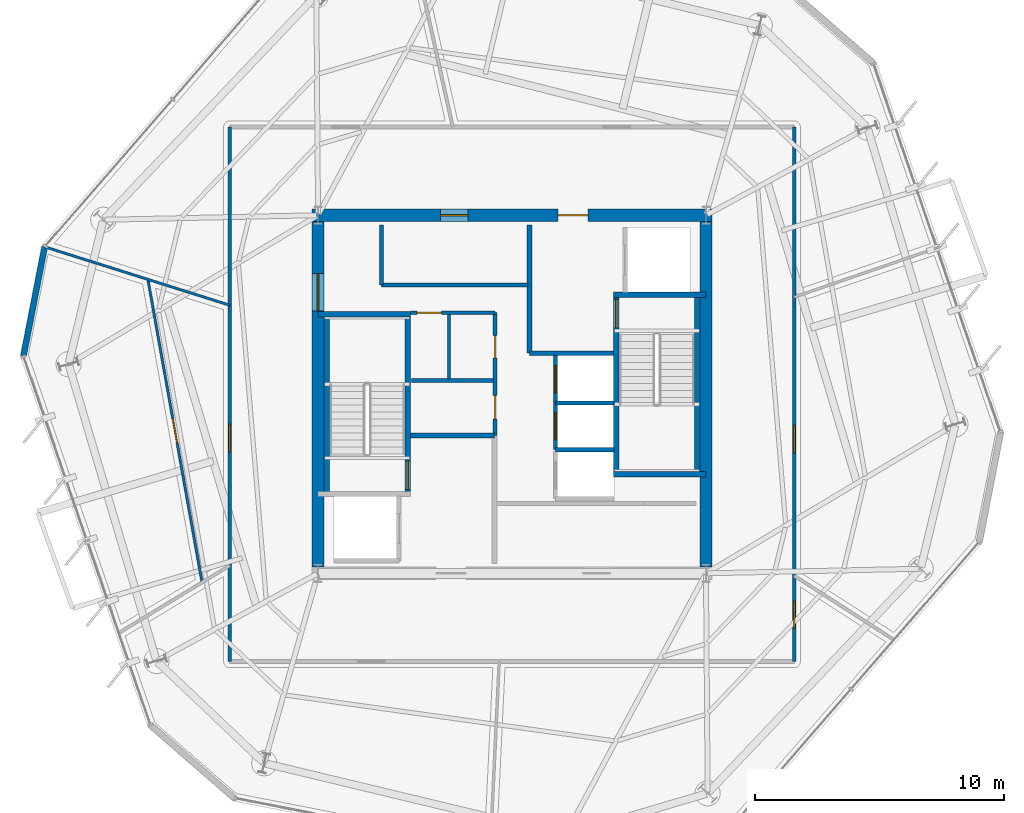
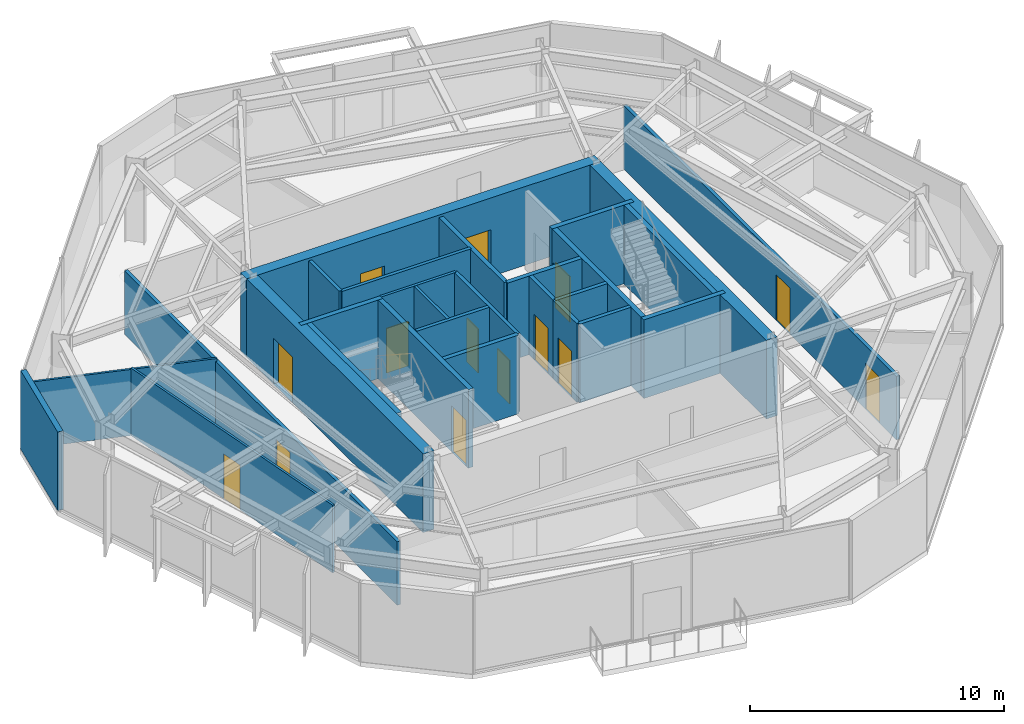
# One storey, part 7 of 11: 28 walls, 14 doors, 14 openings.
"""IFC4 building model written with IfcOpenShell, lengths in metres."""

from ifc_helpers import new_model, si_unit, direction, frame, frame_2d, origin, place, context, subcontext, project, spatial, rectangle, extrude, material, layer, layer_set, type_object, element, fill, save


model = new_model("IFC4")

# Units and contexts
model_context = context("Model", 3, precision=1e-05, world=origin(), true_north=direction((0.0, 1.0)))
body_context = subcontext(model_context, "Body", "Model", "MODEL_VIEW")
ifc_project = project(units=[si_unit("LENGTHUNIT", "METRE"), si_unit("AREAUNIT", "SQUARE_METRE"), si_unit("VOLUMEUNIT", "CUBIC_METRE"), si_unit("PLANEANGLEUNIT", "RADIAN"), si_unit("MASSUNIT", "GRAM", prefix="KILO")], contexts=[model_context])

# Site, building, storey
site_placement = place(None, origin())
site = spatial("IfcSite", under=ifc_project, at=site_placement, CompositionType="ELEMENT")
building_placement = place(site_placement, origin())
building = spatial("IfcBuilding", under=site, at=building_placement, Name="Kranzbogen Civic Tower", CompositionType="ELEMENT")
storey_placement = place(building_placement, frame((0.0, 0.0, 220.800048828125)))
storey = spatial("IfcBuildingStorey", under=building, at=storey_placement, Name="L53", CompositionType="ELEMENT", Elevation=220.800048828125)

# Walls
ifc_material_1 = material(Name="Double-Stud Acoustic Gypsum Partition")
ifc_layer_1 = layer(ifc_material_1, 0.14990234375, Name="Double-Stud Acoustic Gypsum Partition")
ifc_layer_set_1 = layer_set([ifc_layer_1], Name="Double-Stud Acoustic Gypsum Partition")
wall_type_1 = type_object("IfcWallType", Name="Acoustic Corridor and Clinical Partition 150 mm", PredefinedType="PARTITIONING", material=ifc_layer_set_1)
wall_1_placement = place(storey_placement, frame((19.75, 29.389892578125, 0.0), z_axis=(0.0, 0.0, 1.0), x_axis=(1.0, 0.0, 0.0)))
element("IfcWall", 1, at=wall_1_placement, inside=storey, type_object=wall_type_1, Name="L53 digital comms South wall", PredefinedType="PARTITIONING", context=body_context, shape_type="SweptSolid", body=[
    extrude(rectangle(XDim=5.89990234375, YDim=0.14990234375, at=frame_2d((2.949951171875, 0.0))), origin(), (0.0, 0.0, 1.0), 3.780029296875),
])
wall_2_placement = place(storey_placement, frame((19.75, 29.389892578125, 0.0), z_axis=(0.0, 0.0, 1.0), x_axis=(0.0, 1.0, 0.0)))
element("IfcWall", 2, at=wall_2_placement, inside=storey, type_object=wall_type_1, Name="L53 digital comms West wall", PredefinedType="PARTITIONING", context=body_context, shape_type="SweptSolid", body=[
    extrude(rectangle(XDim=2.41015625, YDim=0.14990234375, at=frame_2d((1.205078125, 0.0))), origin(), (0.0, 0.0, 1.0), 3.780029296875),
])

# Wall, openings, doors
wall_3_placement = place(storey_placement, frame((36.35009765625, 35.75, 0.0), z_axis=(0.0, 0.0, 1.0), x_axis=(0.0, -1.0, 0.0)))
wall_3 = element("IfcWall", 3, at=wall_3_placement, inside=storey, type_object=wall_type_1, Name="L53 corridor partition 02", PredefinedType="PARTITIONING", context=body_context, shape_type="SweptSolid", body=[
    extrude(rectangle(XDim=21.5, YDim=0.14990234375, at=frame_2d((10.75, 0.0))), origin(), (0.0, 0.0, 1.0), 3.050048828125),
])
opening_1_placement = place(wall_3_placement, frame((19.068115234375, 0.0, 0.0)))
opening_1 = element("IfcOpeningElement", 4, at=opening_1_placement, cuts=wall_3, Name="Opening D-COR60", PredefinedType="OPENING", context=body_context, shape_type="SweptSolid", body=[
    extrude(rectangle(XDim=1.10009765625, YDim=2.199951171875, at=frame_2d((0.550048828125, 1.10009765625))), frame((0.0, 0.0849609375, 0.0), z_axis=(0.0, -1.0, 0.0), x_axis=(1.0, 0.0, 0.0)), (0.0, 0.0, 1.0), 0.169921875),
])
opening_2_placement = place(wall_3_placement, frame((11.9990234375, 0.0, 0.0)))
opening_2 = element("IfcOpeningElement", 5, at=opening_2_placement, cuts=wall_3, Name="Opening D-COR60", PredefinedType="OPENING", context=body_context, shape_type="SweptSolid", body=[
    extrude(rectangle(XDim=1.10009765625, YDim=2.199951171875, at=frame_2d((0.550048828125, 1.10009765625))), frame((0.0, 0.0849609375, 0.0), z_axis=(0.0, -1.0, 0.0), x_axis=(1.0, 0.0, 0.0)), (0.0, 0.0, 1.0), 0.169921875),
])
ifc_material_2 = material(Name="Oak Timber and Fire Core", Category="wood")
door_type_1 = type_object("IfcDoorType", Name="Corridor Acoustic Fire Door 1100x2200", OperationType="NOTDEFINED", PredefinedType="DOOR", material=ifc_material_2)
door_1_placement = place(opening_1_placement, origin())
door_1 = element("IfcDoor", 6, at=door_1_placement, inside=storey, type_object=door_type_1, Name="L53 Public Delegation Reception door", OperationType="SINGLE_SWING_LEFT", OverallHeight=2.199951171875, OverallWidth=1.10009765625, PredefinedType="DOOR", context=body_context, shape_type="SweptSolid", body=[
    extrude(rectangle(XDim=1.10009765625, YDim=2.199951171875, at=frame_2d((0.550048828125, 1.10009765625))), frame((0.0, 0.02490234375, 0.0), z_axis=(0.0, -1.0, 0.0), x_axis=(1.0, 0.0, 0.0)), (0.0, 0.0, 1.0), 0.050048828125),
])
fill(opening_1, door_1)
door_2_placement = place(opening_2_placement, origin())
door_2 = element("IfcDoor", 7, at=door_2_placement, inside=storey, type_object=door_type_1, Name="L53 Visitor Concierge Foyer door", OperationType="SINGLE_SWING_RIGHT", OverallHeight=2.199951171875, OverallWidth=1.10009765625, PredefinedType="DOOR", context=body_context, shape_type="SweptSolid", body=[
    extrude(rectangle(XDim=1.10009765625, YDim=2.199951171875, at=frame_2d((0.550048828125, 1.10009765625))), frame((0.0, 0.02490234375, 0.0), z_axis=(0.0, -1.0, 0.0), x_axis=(1.0, 0.0, 0.0)), (0.0, 0.0, 1.0), 0.050048828125),
])
fill(opening_2, door_2)

# Wall, opening, door
wall_4_placement = place(storey_placement, frame((13.64990234375, 14.25, 0.0), z_axis=(0.0, 0.0, 1.0), x_axis=(0.0, 1.0, 0.0)))
wall_4 = element("IfcWall", 8, at=wall_4_placement, inside=storey, type_object=wall_type_1, Name="L53 corridor partition 04", PredefinedType="PARTITIONING", context=body_context, shape_type="SweptSolid", body=[
    extrude(rectangle(XDim=21.5, YDim=0.14990234375, at=frame_2d((10.75, 0.0))), origin(), (0.0, 0.0, 1.0), 3.050048828125),
])
opening_3_placement = place(wall_4_placement, frame((8.443115234375, 0.0, 0.0)))
opening_3 = element("IfcOpeningElement", 9, at=opening_3_placement, cuts=wall_4, Name="Opening D-COR60", PredefinedType="OPENING", context=body_context, shape_type="SweptSolid", body=[
    extrude(rectangle(XDim=1.10009765625, YDim=2.199951171875, at=frame_2d((0.550048828125, 1.10009765625))), frame((0.0, 0.0849609375, 0.0), z_axis=(0.0, -1.0, 0.0), x_axis=(1.0, 0.0, 0.0)), (0.0, 0.0, 1.0), 0.169921875),
])
door_3_placement = place(opening_3_placement, origin())
door_3 = element("IfcDoor", 10, at=door_3_placement, inside=storey, type_object=door_type_1, Name="L53 Delegates Sitting Lounge door", OperationType="SINGLE_SWING_RIGHT", OverallHeight=2.199951171875, OverallWidth=1.10009765625, PredefinedType="DOOR", context=body_context, shape_type="SweptSolid", body=[
    extrude(rectangle(XDim=1.10009765625, YDim=2.199951171875, at=frame_2d((0.550048828125, 1.10009765625))), frame((0.0, 0.02490234375, 0.0), z_axis=(0.0, -1.0, 0.0), x_axis=(1.0, 0.0, 0.0)), (0.0, 0.0, 1.0), 0.050048828125),
])
fill(opening_3, door_3)

ifc_material_3 = material(Name="Insulated Metal-Stud Gypsum Partition")
ifc_layer_2 = layer(ifc_material_3, 0.125, Name="Insulated Metal-Stud Gypsum Partition")
ifc_layer_set_2 = layer_set([ifc_layer_2], Name="Insulated Metal-Stud Gypsum Partition")
wall_type_2 = type_object("IfcWallType", Name="Acoustic Inter-Room Partition 125 mm", PredefinedType="PARTITIONING", material=ifc_layer_set_2)
wall_5_placement = place(storey_placement, frame((20.919921875, 28.280029296875, 0.0), z_axis=(0.0, 0.0, 1.0), x_axis=(1.0, 0.0, 0.0)))
wall_5 = element("IfcWall", 11, at=wall_5_placement, inside=storey, type_object=wall_type_2, Name="L53 core auxiliary North wall", PredefinedType="PARTITIONING", context=body_context, shape_type="SweptSolid", body=[
    extrude(rectangle(XDim=3.405029296875, YDim=0.125, at=frame_2d((1.70263671875, 0.0))), origin(), (0.0, 0.0, 1.0), 3.780029296875),
])
opening_4_placement = place(wall_5_placement, frame((0.2548828125, 0.0, 0.0)))
opening_4 = element("IfcOpeningElement", 12, at=opening_4_placement, cuts=wall_5, Name="Opening D-RSR10", PredefinedType="OPENING", context=body_context, shape_type="SweptSolid", body=[
    extrude(rectangle(XDim=1.0, YDim=2.14990234375, at=frame_2d((0.5, 1.074951171875))), frame((0.0, 0.072509765625, 0.0), z_axis=(0.0, -1.0, 0.0), x_axis=(1.0, 0.0, 0.0)), (0.0, 0.0, 1.0), 0.14501953125),
])
door_type_2 = type_object("IfcDoorType", Name="Core Archive and Riser Fire Door 1000x2150", OperationType="NOTDEFINED", PredefinedType="DOOR", material=ifc_material_2)
door_4_placement = place(opening_4_placement, origin())
door_4 = element("IfcDoor", 13, at=door_4_placement, inside=storey, type_object=door_type_2, Name="L53 Telecom and Riser Room door", OperationType="SINGLE_SWING_RIGHT", OverallHeight=2.14990234375, OverallWidth=1.0, PredefinedType="DOOR", context=body_context, shape_type="SweptSolid", body=[
    extrude(rectangle(XDim=1.0, YDim=2.14990234375, at=frame_2d((0.5, 1.074951171875))), frame((0.0, 0.02490234375, 0.0), z_axis=(0.0, -1.0, 0.0), x_axis=(1.0, 0.0, 0.0)), (0.0, 0.0, 1.0), 0.050048828125),
])
fill(opening_4, door_4)

# Wall
wall_6_placement = place(storey_placement, frame((22.4599609375, 25.6201171875, 0.0), z_axis=(0.0, 0.0, 1.0), x_axis=(0.0, 1.0, 0.0)))
element("IfcWall", 14, at=wall_6_placement, inside=storey, type_object=wall_type_2, Name="L53 core auxiliary partition 2", PredefinedType="PARTITIONING", context=body_context, shape_type="SweptSolid", body=[
    extrude(rectangle(XDim=2.579833984375, YDim=0.125, at=frame_2d((1.2900390625, 0.0))), origin(), (0.0, 0.0, 1.0), 3.780029296875),
])

# Wall, openings, doors
ifc_material_4 = material(Name="Concrete C45/55", Category="concrete")
ifc_layer_3 = layer(ifc_material_4, 0.5, Name="Concrete C45/55")
ifc_layer_set_3 = layer_set([ifc_layer_3], Name="Concrete C45/55")
wall_type_3 = type_object("IfcWallType", Name="Central Core Shear Wall 500 mm", PredefinedType="SHEAR", material=ifc_layer_set_3)
wall_7_placement = place(storey_placement, frame((33.050048828125, 32.199951171875, 0.0), z_axis=(0.0, 0.0, 1.0), x_axis=(-1.0, 0.0, 0.0)))
wall_7 = element("IfcWall", 15, at=wall_7_placement, inside=storey, type_object=wall_type_3, Name="L53 central core North shear wall", PredefinedType="SHEAR", context=body_context, shape_type="SweptSolid", body=[
    extrude(rectangle(XDim=16.10009765625, YDim=0.5, at=frame_2d((8.050048828125, 0.0))), origin(), (0.0, 0.0, 1.0), 3.780029296875),
])
opening_5_placement = place(wall_7_placement, frame((5.0, 0.0, 0.0)))
opening_5 = element("IfcOpeningElement", 16, at=opening_5_placement, cuts=wall_7, Name="Opening D-EX120", PredefinedType="OPENING", context=body_context, shape_type="SweptSolid", body=[
    extrude(rectangle(XDim=1.199951171875, YDim=2.25, at=frame_2d((0.60009765625, 1.125))), frame((0.0, 0.260009765625, 0.0), z_axis=(0.0, -1.0, 0.0), x_axis=(1.0, 0.0, 0.0)), (0.0, 0.0, 1.0), 0.52001953125),
])
opening_6_placement = place(wall_7_placement, frame((9.824951171875, 0.0, 0.0)))
opening_6 = element("IfcOpeningElement", 17, at=opening_6_placement, cuts=wall_7, Name="Opening D-COR60", PredefinedType="OPENING", context=body_context, shape_type="SweptSolid", body=[
    extrude(rectangle(XDim=1.10009765625, YDim=2.199951171875, at=frame_2d((0.550048828125, 1.10009765625))), frame((0.0, 0.260009765625, 0.0), z_axis=(0.0, -1.0, 0.0), x_axis=(1.0, 0.0, 0.0)), (0.0, 0.0, 1.0), 0.52001953125),
])
door_5_placement = place(opening_6_placement, origin())
door_5 = element("IfcDoor", 18, at=door_5_placement, inside=storey, type_object=door_type_1, Name="L53 DAT1 comms room door", OperationType="SINGLE_SWING_LEFT", OverallHeight=2.199951171875, OverallWidth=1.10009765625, PredefinedType="DOOR", context=body_context, shape_type="SweptSolid", body=[
    extrude(rectangle(XDim=1.10009765625, YDim=2.199951171875, at=frame_2d((0.550048828125, 1.10009765625))), frame((0.0, 0.02490234375, 0.0), z_axis=(0.0, -1.0, 0.0), x_axis=(1.0, 0.0, 0.0)), (0.0, 0.0, 1.0), 0.050048828125),
])
fill(opening_6, door_5)
ifc_material_5 = material(Name="Steel S355", Category="steel")
door_type_3 = type_object("IfcDoorType", Name="Exit Passageway Fire Door 1200x2250", OperationType="NOTDEFINED", PredefinedType="DOOR", material=ifc_material_5)
door_6_placement = place(opening_5_placement, origin())
door_6 = element("IfcDoor", 19, at=door_6_placement, inside=storey, type_object=door_type_3, Name="L53 East firefighting lobby corridor door", OperationType="SINGLE_SWING_RIGHT", OverallHeight=2.25, OverallWidth=1.199951171875, PredefinedType="DOOR", context=body_context, shape_type="SweptSolid", body=[
    extrude(rectangle(XDim=1.199951171875, YDim=2.25, at=frame_2d((0.60009765625, 1.125))), frame((0.0, 0.02490234375, 0.0), z_axis=(0.0, -1.0, 0.0), x_axis=(1.0, 0.0, 0.0)), (0.0, 0.0, 1.0), 0.050048828125),
])
fill(opening_5, door_6)

# Wall, opening, door
wall_8_placement = place(storey_placement, frame((17.199951171875, 31.949951171875, 0.0), z_axis=(0.0, 0.0, 1.0), x_axis=(0.0, -1.0, 0.0)))
wall_8 = element("IfcWall", 20, at=wall_8_placement, inside=storey, type_object=wall_type_3, Name="L53 central core West shear wall", PredefinedType="SHEAR", context=body_context, shape_type="SweptSolid", body=[
    extrude(rectangle(XDim=13.89990234375, YDim=0.5, at=frame_2d((6.949951171875, 0.0))), origin(), (0.0, 0.0, 1.0), 3.780029296875),
])
opening_7_placement = place(wall_8_placement, frame((2.10009765625, 0.0, 0.0)))
opening_7 = element("IfcOpeningElement", 21, at=opening_7_placement, cuts=wall_8, Name="Opening D-DBL15", PredefinedType="OPENING", context=body_context, shape_type="SweptSolid", body=[
    extrude(rectangle(XDim=1.5, YDim=2.199951171875, at=frame_2d((0.75, 1.10009765625))), frame((0.0, 0.260009765625, 0.0), z_axis=(0.0, -1.0, 0.0), x_axis=(1.0, 0.0, 0.0)), (0.0, 0.0, 1.0), 0.52001953125),
])
ifc_material_6 = material(Name="Anodised Bronze and Glass", Category="glass")
door_type_4 = type_object("IfcDoorType", Name="Civic Lobby Double Door 1500x2200", OperationType="DOUBLE_DOOR_SINGLE_SWING", PredefinedType="DOOR", material=ifc_material_6)
door_7_placement = place(opening_7_placement, origin())
door_7 = element("IfcDoor", 22, at=door_7_placement, inside=storey, type_object=door_type_4, Name="L53 Central Lift Lobby West concourse door", OperationType="DOUBLE_DOOR_SINGLE_SWING", OverallHeight=2.199951171875, OverallWidth=1.5, PredefinedType="DOOR", context=body_context, shape_type="SweptSolid", body=[
    extrude(rectangle(XDim=1.5, YDim=2.199951171875, at=frame_2d((0.75, 1.10009765625))), frame((0.0, 0.02490234375, 0.0), z_axis=(0.0, -1.0, 0.0), x_axis=(1.0, 0.0, 0.0)), (0.0, 0.0, 1.0), 0.050048828125),
])
fill(opening_7, door_7)

# Wall
wall_9_placement = place(storey_placement, frame((32.800048828125, 18.050048828125, 0.0), z_axis=(0.0, 0.0, 1.0), x_axis=(0.0, 1.0, 0.0)))
element("IfcWall", 23, at=wall_9_placement, inside=storey, type_object=wall_type_3, Name="L53 central core East shear wall", PredefinedType="SHEAR", context=body_context, shape_type="SweptSolid", body=[
    extrude(rectangle(XDim=13.89990234375, YDim=0.5, at=frame_2d((6.949951171875, 0.0))), origin(), (0.0, 0.0, 1.0), 3.780029296875),
])

# Wall, opening, door
ifc_layer_4 = layer(ifc_material_4, 0.219970703125, Name="Concrete C45/55")
ifc_layer_set_4 = layer_set([ifc_layer_4], Name="Concrete C45/55")
wall_type_4 = type_object("IfcWallType", Name="Core Internal Stair Structural Wall 220 mm", PredefinedType="SOLIDWALL", material=ifc_layer_set_4)
wall_10_placement = place(storey_placement, frame((20.81005859375, 20.989990234375, 0.0), z_axis=(0.0, 0.0, 1.0), x_axis=(0.0, 1.0, 0.0)))
wall_10 = element("IfcWall", 24, at=wall_10_placement, inside=storey, type_object=wall_type_4, Name="L53 ST-T1 East structural stair wall", PredefinedType="SOLIDWALL", context=body_context, shape_type="SweptSolid", body=[
    extrude(rectangle(XDim=7.219970703125, YDim=0.219970703125, at=frame_2d((3.60986328125, 0.0))), origin(), (0.0, 0.0, 1.0), 3.780029296875),
])
opening_8_placement = place(wall_10_placement, frame((0.179931640625, 0.0, 0.0)))
opening_8 = element("IfcOpeningElement", 25, at=opening_8_placement, cuts=wall_10, Name="Opening D-ST90", PredefinedType="OPENING", context=body_context, shape_type="SweptSolid", body=[
    extrude(rectangle(XDim=1.14990234375, YDim=2.199951171875, at=frame_2d((0.574951171875, 1.10009765625))), frame((0.0, 0.1201171875, 0.0), z_axis=(0.0, -1.0, 0.0), x_axis=(1.0, 0.0, 0.0)), (0.0, 0.0, 1.0), 0.239990234375),
])
door_type_5 = type_object("IfcDoorType", Name="Pressurized Stair and Lobby Fire Door 1150x2200", OperationType="NOTDEFINED", PredefinedType="DOOR", material=ifc_material_5)
door_8_placement = place(opening_8_placement, origin())
door_8 = element("IfcDoor", 26, at=door_8_placement, inside=storey, type_object=door_type_5, Name="L53 Stair ST-T1 fire door", OperationType="SINGLE_SWING_LEFT", OverallHeight=2.199951171875, OverallWidth=1.14990234375, PredefinedType="DOOR", context=body_context, shape_type="SweptSolid", body=[
    extrude(rectangle(XDim=1.14990234375, YDim=2.199951171875, at=frame_2d((0.574951171875, 1.10009765625))), frame((0.0, 0.02490234375, 0.0), z_axis=(0.0, -1.0, 0.0), x_axis=(1.0, 0.0, 0.0)), (0.0, 0.0, 1.0), 0.050048828125),
])
fill(opening_8, door_8)

# Walls
wall_11_placement = place(storey_placement, frame((17.199951171875, 28.2099609375, 0.0), z_axis=(0.0, 0.0, 1.0), x_axis=(1.0, 0.0, 0.0)))
element("IfcWall", 27, at=wall_11_placement, inside=storey, type_object=wall_type_4, Name="L53 ST-T1 North structural stair wall", PredefinedType="SOLIDWALL", context=body_context, shape_type="SweptSolid", body=[
    extrude(rectangle(XDim=3.719970703125, YDim=0.219970703125, at=frame_2d((1.85986328125, 0.0))), origin(), (0.0, 0.0, 1.0), 3.780029296875),
])
wall_12_placement = place(storey_placement, frame((17.554931640625, 28.2099609375, 0.0), z_axis=(0.0, 0.0, 1.0), x_axis=(0.0, -1.0, 0.0)))
element("IfcWall", 28, at=wall_12_placement, inside=storey, type_object=wall_type_4, Name="L53 ST-T1 West structural stair wall", PredefinedType="SOLIDWALL", context=body_context, shape_type="SweptSolid", body=[
    extrude(rectangle(XDim=7.219970703125, YDim=0.219970703125, at=frame_2d((3.60986328125, 0.0))), origin(), (0.0, 0.0, 1.0), 3.780029296875),
])

# Wall, opening, door
wall_13_placement = place(storey_placement, frame((29.18994140625, 21.7900390625, 0.0), z_axis=(0.0, 0.0, 1.0), x_axis=(0.0, 1.0, 0.0)))
wall_13 = element("IfcWall", 29, at=wall_13_placement, inside=storey, type_object=wall_type_4, Name="L53 ST-T2 West structural stair wall", PredefinedType="SOLIDWALL", context=body_context, shape_type="SweptSolid", body=[
    extrude(rectangle(XDim=7.219970703125, YDim=0.219970703125, at=frame_2d((3.60986328125, 0.0))), origin(), (0.0, 0.0, 1.0), 3.780029296875),
])
opening_9_placement = place(wall_13_placement, frame((5.8798828125, 0.0, 0.0)))
opening_9 = element("IfcOpeningElement", 30, at=opening_9_placement, cuts=wall_13, Name="Opening D-ST90", PredefinedType="OPENING", context=body_context, shape_type="SweptSolid", body=[
    extrude(rectangle(XDim=1.14990234375, YDim=2.199951171875, at=frame_2d((0.574951171875, 1.10009765625))), frame((0.0, 0.1201171875, 0.0), z_axis=(0.0, -1.0, 0.0), x_axis=(1.0, 0.0, 0.0)), (0.0, 0.0, 1.0), 0.239990234375),
])
door_9_placement = place(opening_9_placement, origin())
door_9 = element("IfcDoor", 31, at=door_9_placement, inside=storey, type_object=door_type_5, Name="L53 Stair ST-T2 fire door", OperationType="SINGLE_SWING_RIGHT", OverallHeight=2.199951171875, OverallWidth=1.14990234375, PredefinedType="DOOR", context=body_context, shape_type="SweptSolid", body=[
    extrude(rectangle(XDim=1.14990234375, YDim=2.199951171875, at=frame_2d((0.574951171875, 1.10009765625))), frame((0.0, 0.02490234375, 0.0), z_axis=(0.0, -1.0, 0.0), x_axis=(1.0, 0.0, 0.0)), (0.0, 0.0, 1.0), 0.050048828125),
])
fill(opening_9, door_9)

# Walls
for number, where, z_axis, x_axis, name in (
    (32, (29.080078125, 21.7900390625, 0.0), (0.0, 0.0, 1.0), (1.0, 0.0, 0.0), "L53 ST-T2 South structural stair wall"),
    (33, (29.080078125, 29.010009765625, 0.0), (0.0, 0.0, 1.0), (1.0, 0.0, 0.0), "L53 ST-T2 North structural stair wall"),
):
    element("IfcWall", number, at=place(storey_placement, frame(where, z_axis=z_axis, x_axis=x_axis)), inside=storey, type_object=wall_type_4, Name=name, PredefinedType="SOLIDWALL", context=body_context, shape_type="SweptSolid", body=[
        extrude(rectangle(XDim=3.719970703125, YDim=0.219970703125, at=frame_2d((1.85986328125, 0.0))), origin(), (0.0, 0.0, 1.0), 3.780029296875),
    ])
wall_14_placement = place(storey_placement, frame((32.445068359375, 29.010009765625, 0.0), z_axis=(0.0, 0.0, 1.0), x_axis=(0.0, -1.0, 0.0)))
element("IfcWall", 34, at=wall_14_placement, inside=storey, type_object=wall_type_4, Name="L53 ST-T2 East structural stair wall", PredefinedType="SOLIDWALL", context=body_context, shape_type="SweptSolid", body=[
    extrude(rectangle(XDim=7.219970703125, YDim=0.219970703125, at=frame_2d((3.60986328125, 0.0))), origin(), (0.0, 0.0, 1.0), 3.780029296875),
])
ifc_material_7 = material(Name="Demountable Aluminium and Gypsum Partition", Category="aluminium")
ifc_layer_5 = layer(ifc_material_7, 0.10009765625, Name="Demountable Aluminium and Gypsum Partition")
ifc_layer_set_5 = layer_set([ifc_layer_5], Name="Demountable Aluminium and Gypsum Partition")
wall_type_5 = type_object("IfcWallType", Name="Demountable Office Partition 100 mm", PredefinedType="MOVABLE", material=ifc_layer_set_5)
wall_15_placement = place(storey_placement, frame((13.64990234375, 28.5810546875, 0.0), z_axis=(0.0, 0.0, 1.0), x_axis=(-0.953668418843, 0.300859679754, 0.0)))
element("IfcWall", 35, at=wall_15_placement, inside=storey, type_object=wall_type_5, Name="L53 radial room partition 02", PredefinedType="MOVABLE", context=body_context, shape_type="SweptSolid", body=[
    extrude(rectangle(XDim=7.784423828125, YDim=0.10009765625, at=frame_2d((3.89208984375, 0.0))), origin(), (0.0, 0.0, 1.0), 3.179931640625),
])

# Wall, opening, door
wall_16_placement = place(storey_placement, frame((10.362060546875, 29.60302734375, 0.0), z_axis=(0.0, 0.0, 1.0), x_axis=(0.175922734222, -0.984403977838, 0.0)))
wall_16 = element("IfcWall", 36, at=wall_16_placement, inside=storey, type_object=wall_type_5, Name="L53 suite chord partition 01", PredefinedType="MOVABLE", context=body_context, shape_type="SweptSolid", body=[
    extrude(rectangle(XDim=12.345703125, YDim=0.10009765625, at=frame_2d((6.1728515625, 0.0))), origin(), (0.0, 0.0, 1.0), 3.25),
])
opening_10_placement = place(wall_16_placement, frame((5.673095703125, 0.0, 0.0)))
opening_10 = element("IfcOpeningElement", 37, at=opening_10_placement, cuts=wall_16, Name="Opening D-OFC10", PredefinedType="OPENING", context=body_context, shape_type="SweptSolid", body=[
    extrude(rectangle(XDim=1.0, YDim=2.14990234375, at=frame_2d((0.5, 1.074951171875))), frame((0.0, 0.06005859375, 0.0), z_axis=(0.0, -1.0, 0.0), x_axis=(1.0, 0.0, 0.0)), (0.0, 0.0, 1.0), 0.1201171875),
])
ifc_material_8 = material(Name="Oak Timber Veneer", Category="wood")
door_type_6 = type_object("IfcDoorType", Name="Standard Office Acoustic Door 1000x2150", OperationType="NOTDEFINED", PredefinedType="DOOR", material=ifc_material_8)
door_10_placement = place(opening_10_placement, origin())
door_10 = element("IfcDoor", 38, at=door_10_placement, inside=storey, type_object=door_type_6, Name="L53 Executive Research Study door", OperationType="SINGLE_SWING_LEFT", OverallHeight=2.14990234375, OverallWidth=1.0, PredefinedType="DOOR", context=body_context, shape_type="SweptSolid", body=[
    extrude(rectangle(XDim=1.0, YDim=2.14990234375, at=frame_2d((0.5, 1.074951171875))), frame((0.0, 0.02490234375, 0.0), z_axis=(0.0, -1.0, 0.0), x_axis=(1.0, 0.0, 0.0)), (0.0, 0.0, 1.0), 0.050048828125),
])
fill(opening_10, door_10)

# Walls
ifc_material_9 = material(Name="Gypsum Fireboard and Concrete Block", Category="concrete")
ifc_layer_6 = layer(ifc_material_9, 0.199951171875, Name="Gypsum Fireboard and Concrete Block")
ifc_layer_set_6 = layer_set([ifc_layer_6], Name="Gypsum Fireboard and Concrete Block")
wall_type_6 = type_object("IfcWallType", Name="Fire-Rated Exit Passageway and Stair Wall 200 mm", PredefinedType="PARTITIONING", material=ifc_layer_set_6)
wall_17_placement = place(storey_placement, frame((20.919921875, 23.35009765625, 0.0), z_axis=(0.0, 0.0, 1.0), x_axis=(1.0, 0.0, 0.0)))
element("IfcWall", 39, at=wall_17_placement, inside=storey, type_object=wall_type_6, Name="L53 West firefighting lobby North wall", PredefinedType="PARTITIONING", context=body_context, shape_type="SweptSolid", body=[
    extrude(rectangle(XDim=3.380126953125, YDim=0.199951171875, at=frame_2d((1.68994140625, 0.0))), origin(), (0.0, 0.0, 1.0), 3.780029296875),
])
wall_18_placement = place(storey_placement, frame((25.699951171875, 26.64990234375, 0.0), z_axis=(0.0, 0.0, 1.0), x_axis=(0.0, 1.0, 0.0)))
element("IfcWall", 40, at=wall_18_placement, inside=storey, type_object=wall_type_6, Name="L53 East firefighting lobby West wall", PredefinedType="PARTITIONING", context=body_context, shape_type="SweptSolid", body=[
    extrude(rectangle(XDim=5.150146484375, YDim=0.199951171875, at=frame_2d((2.5751953125, 0.0))), origin(), (0.0, 0.0, 1.0), 3.780029296875),
])
wall_19_placement = place(storey_placement, frame((25.699951171875, 26.64990234375, 0.0), z_axis=(0.0, 0.0, 1.0), x_axis=(1.0, 0.0, 0.0)))
element("IfcWall", 41, at=wall_19_placement, inside=storey, type_object=wall_type_6, Name="L53 East firefighting lobby South wall", PredefinedType="PARTITIONING", context=body_context, shape_type="SweptSolid", body=[
    extrude(rectangle(XDim=3.380126953125, YDim=0.199951171875, at=frame_2d((1.68994140625, 0.0))), origin(), (0.0, 0.0, 1.0), 3.780029296875),
])

# Wall, opening, door
ifc_material_10 = material(Name="Gypsum Fireboard Shaftliner")
ifc_layer_7 = layer(ifc_material_10, 0.175048828125, Name="Gypsum Fireboard Shaftliner")
ifc_layer_set_7 = layer_set([ifc_layer_7], Name="Gypsum Fireboard Shaftliner")
wall_type_7 = type_object("IfcWallType", Name="Fire-Rated Lift and Service Shaft Wall 175 mm", PredefinedType="PARTITIONING", material=ifc_layer_set_7)
wall_20_placement = place(storey_placement, frame((26.75, 22.77490234375, 0.0), z_axis=(0.0, 0.0, 1.0), x_axis=(0.0, 1.0, 0.0)))
wall_20 = element("IfcWall", 42, at=wall_20_placement, inside=storey, type_object=wall_type_7, Name="L53 lift HP-02 landing wall", PredefinedType="PARTITIONING", context=body_context, shape_type="SweptSolid", body=[
    extrude(rectangle(XDim=1.900146484375, YDim=0.175048828125, at=frame_2d((0.9501953125, 0.0))), origin(), (0.0, 0.0, 1.0), 3.780029296875),
])
opening_11_placement = place(wall_20_placement, frame((0.39990234375, 0.0, 0.0)))
opening_11 = element("IfcOpeningElement", 43, at=opening_11_placement, cuts=wall_20, Name="Opening LD-HP-02", PredefinedType="OPENING", context=body_context, shape_type="SweptSolid", body=[
    extrude(rectangle(XDim=1.10009765625, YDim=2.199951171875, at=frame_2d((0.550048828125, 1.10009765625))), frame((0.0, 0.09765625, 0.0), z_axis=(0.0, -1.0, 0.0), x_axis=(1.0, 0.0, 0.0)), (0.0, 0.0, 1.0), 0.195068359375),
])
ifc_material_11 = material(Name="Pale Anodised Aluminium", Category="aluminium")
door_type_7 = type_object("IfcDoorType", Name="Passenger Lift Sliding Landing Door 1100x2200", OperationType="DOUBLE_DOOR_SLIDING", PredefinedType="DOOR", material=ifc_material_11)
door_11_placement = place(opening_11_placement, origin())
door_11 = element("IfcDoor", 44, at=door_11_placement, inside=storey, type_object=door_type_7, Name="L53 lift HP-02 sliding landing door", OperationType="DOUBLE_DOOR_SLIDING", OverallHeight=2.199951171875, OverallWidth=1.10009765625, PredefinedType="DOOR", context=body_context, shape_type="SweptSolid", body=[
    extrude(rectangle(XDim=1.10009765625, YDim=2.199951171875, at=frame_2d((0.550048828125, 1.10009765625))), frame((0.0, 0.02490234375, 0.0), z_axis=(0.0, -1.0, 0.0), x_axis=(1.0, 0.0, 0.0)), (0.0, 0.0, 1.0), 0.050048828125),
])
fill(opening_11, door_11)

# Wall
wall_21_placement = place(storey_placement, frame((26.75, 22.77490234375, 0.0), z_axis=(0.0, 0.0, 1.0), x_axis=(1.0, 0.0, 0.0)))
element("IfcWall", 45, at=wall_21_placement, inside=storey, type_object=wall_type_7, Name="L53 lift HP-02 side wall", PredefinedType="PARTITIONING", context=body_context, shape_type="SweptSolid", body=[
    extrude(rectangle(XDim=2.35009765625, YDim=0.175048828125, at=frame_2d((1.175048828125, 0.0))), origin(), (0.0, 0.0, 1.0), 3.780029296875),
])

# Wall, opening, door
wall_22_placement = place(storey_placement, frame((26.75, 24.64990234375, 0.0), z_axis=(0.0, 0.0, 1.0), x_axis=(0.0, 1.0, 0.0)))
wall_22 = element("IfcWall", 46, at=wall_22_placement, inside=storey, type_object=wall_type_7, Name="L53 lift HP-03 landing wall", PredefinedType="PARTITIONING", context=body_context, shape_type="SweptSolid", body=[
    extrude(rectangle(XDim=1.900146484375, YDim=0.175048828125, at=frame_2d((0.9501953125, 0.0))), origin(), (0.0, 0.0, 1.0), 3.780029296875),
])
opening_12_placement = place(wall_22_placement, frame((0.39990234375, 0.0, 0.0)))
opening_12 = element("IfcOpeningElement", 47, at=opening_12_placement, cuts=wall_22, Name="Opening LD-HP-03", PredefinedType="OPENING", context=body_context, shape_type="SweptSolid", body=[
    extrude(rectangle(XDim=1.10009765625, YDim=2.199951171875, at=frame_2d((0.550048828125, 1.10009765625))), frame((0.0, 0.09765625, 0.0), z_axis=(0.0, -1.0, 0.0), x_axis=(1.0, 0.0, 0.0)), (0.0, 0.0, 1.0), 0.195068359375),
])
door_12_placement = place(opening_12_placement, origin())
door_12 = element("IfcDoor", 48, at=door_12_placement, inside=storey, type_object=door_type_7, Name="L53 lift HP-03 sliding landing door", OperationType="DOUBLE_DOOR_SLIDING", OverallHeight=2.199951171875, OverallWidth=1.10009765625, PredefinedType="DOOR", context=body_context, shape_type="SweptSolid", body=[
    extrude(rectangle(XDim=1.10009765625, YDim=2.199951171875, at=frame_2d((0.550048828125, 1.10009765625))), frame((0.0, 0.02490234375, 0.0), z_axis=(0.0, -1.0, 0.0), x_axis=(1.0, 0.0, 0.0)), (0.0, 0.0, 1.0), 0.050048828125),
])
fill(opening_12, door_12)

# Walls
wall_23_placement = place(storey_placement, frame((26.75, 24.64990234375, 0.0), z_axis=(0.0, 0.0, 1.0), x_axis=(1.0, 0.0, 0.0)))
element("IfcWall", 49, at=wall_23_placement, inside=storey, type_object=wall_type_7, Name="L53 lift HP-03 side wall", PredefinedType="PARTITIONING", context=body_context, shape_type="SweptSolid", body=[
    extrude(rectangle(XDim=2.35009765625, YDim=0.175048828125, at=frame_2d((1.175048828125, 0.0))), origin(), (0.0, 0.0, 1.0), 3.780029296875),
])
ifc_layer_8 = layer(ifc_material_11, 0.239990234375, Name="Pale Anodised Aluminium")
ifc_layer_set_8 = layer_set([ifc_layer_8], Name="Pale Anodised Aluminium")
wall_type_8 = type_object("IfcWallType", Name="Insulated Aluminium Facade Portal Wall 240 mm", PredefinedType="STANDARD", material=ifc_layer_set_8)
wall_24_placement = place(storey_placement, frame((6.208984375, 30.928955078125, 0.0), z_axis=(0.0, 0.0, 1.0), x_axis=(-0.190871121271, -0.981615105357, 0.0)))
element("IfcWall", 50, at=wall_24_placement, inside=storey, type_object=wall_type_8, Name="L53 chamfered corner facade spandrel 2", PredefinedType="STANDARD", context=body_context, shape_type="SweptSolid", body=[
    extrude(rectangle(XDim=4.46923828125, YDim=0.239990234375, at=frame_2d((2.234619140625, 0.0))), origin(), (0.0, 0.0, 1.0), 3.780029296875),
])

# Wall, openings, doors
ifc_material_12 = material(Name="Moisture-Resistant Gypsum Assembly")
ifc_layer_9 = layer(ifc_material_12, 0.159912109375, Name="Moisture-Resistant Gypsum Assembly")
ifc_layer_set_9 = layer_set([ifc_layer_9], Name="Moisture-Resistant Gypsum Assembly")
wall_type_9 = type_object("IfcWallType", Name="Sanitary and Plumbing Wet Wall 160 mm", PredefinedType="PLUMBINGWALL", material=ifc_layer_set_9)
wall_25_placement = place(storey_placement, frame((24.324951171875, 23.35009765625, 0.0), z_axis=(0.0, 0.0, 1.0), x_axis=(0.0, 1.0, 0.0)))
wall_25 = element("IfcWall", 51, at=wall_25_placement, inside=storey, type_object=wall_type_9, Name="L53 core auxiliary East wall", PredefinedType="PLUMBINGWALL", context=body_context, shape_type="SweptSolid", body=[
    extrude(rectangle(XDim=4.929931640625, YDim=0.159912109375, at=frame_2d((2.46484375, 0.0))), origin(), (0.0, 0.0, 1.0), 3.780029296875),
])
opening_13_placement = place(wall_25_placement, frame((0.64990234375, 0.0, 0.0)))
opening_13 = element("IfcOpeningElement", 52, at=opening_13_placement, cuts=wall_25, Name="Opening D-AWC95", PredefinedType="OPENING", context=body_context, shape_type="SweptSolid", body=[
    extrude(rectangle(XDim=0.949951171875, YDim=2.10009765625, at=frame_2d((0.47509765625, 1.050048828125))), frame((0.0, 0.08984375, 0.0), z_axis=(0.0, -1.0, 0.0), x_axis=(1.0, 0.0, 0.0)), (0.0, 0.0, 1.0), 0.179931640625),
])
opening_14_placement = place(wall_25_placement, frame((3.110107421875, 0.0, 0.0)))
opening_14 = element("IfcOpeningElement", 53, at=opening_14_placement, cuts=wall_25, Name="Opening D-WC90", PredefinedType="OPENING", context=body_context, shape_type="SweptSolid", body=[
    extrude(rectangle(XDim=0.89990234375, YDim=2.10009765625, at=frame_2d((0.449951171875, 1.050048828125))), frame((0.0, 0.08984375, 0.0), z_axis=(0.0, -1.0, 0.0), x_axis=(1.0, 0.0, 0.0)), (0.0, 0.0, 1.0), 0.179931640625),
])
ifc_material_13 = material(Name="Moisture-Resistant Laminate")
door_type_8 = type_object("IfcDoorType", Name="Accessible Restroom Door 950x2100", OperationType="NOTDEFINED", PredefinedType="DOOR", material=ifc_material_13)
door_13_placement = place(opening_13_placement, origin())
door_13 = element("IfcDoor", 54, at=door_13_placement, inside=storey, type_object=door_type_8, Name="L53 Accessible Restroom door", OperationType="SINGLE_SWING_LEFT", OverallHeight=2.10009765625, OverallWidth=0.949951171875, PredefinedType="DOOR", context=body_context, shape_type="SweptSolid", body=[
    extrude(rectangle(XDim=0.949951171875, YDim=2.10009765625, at=frame_2d((0.47509765625, 1.050048828125))), frame((0.0, 0.02490234375, 0.0), z_axis=(0.0, -1.0, 0.0), x_axis=(1.0, 0.0, 0.0)), (0.0, 0.0, 1.0), 0.050048828125),
])
fill(opening_13, door_13)
door_type_9 = type_object("IfcDoorType", Name="Standard Restroom and Store Door 900x2100", OperationType="NOTDEFINED", PredefinedType="DOOR", material=ifc_material_13)
door_14_placement = place(opening_14_placement, origin())
door_14 = element("IfcDoor", 55, at=door_14_placement, inside=storey, type_object=door_type_9, Name="L53 Staff Restroom door", OperationType="SINGLE_SWING_LEFT", OverallHeight=2.10009765625, OverallWidth=0.89990234375, PredefinedType="DOOR", context=body_context, shape_type="SweptSolid", body=[
    extrude(rectangle(XDim=0.89990234375, YDim=2.10009765625, at=frame_2d((0.449951171875, 1.050048828125))), frame((0.0, 0.02490234375, 0.0), z_axis=(0.0, -1.0, 0.0), x_axis=(1.0, 0.0, 0.0)), (0.0, 0.0, 1.0), 0.050048828125),
])
fill(opening_14, door_14)

# Wall
wall_26_placement = place(storey_placement, frame((20.949951171875, 25.56005859375, 0.0), z_axis=(0.0, 0.0, 1.0), x_axis=(1.0, 0.0, 0.0)))
element("IfcWall", 56, at=wall_26_placement, inside=storey, type_object=wall_type_9, Name="L53 core auxiliary partition 1", PredefinedType="PLUMBINGWALL", context=body_context, shape_type="SweptSolid", body=[
    extrude(rectangle(XDim=3.300048828125, YDim=0.159912109375, at=frame_2d((1.64990234375, 0.0))), origin(), (0.0, 0.0, 1.0), 3.780029296875),
])

save(model, "model.ifc")
